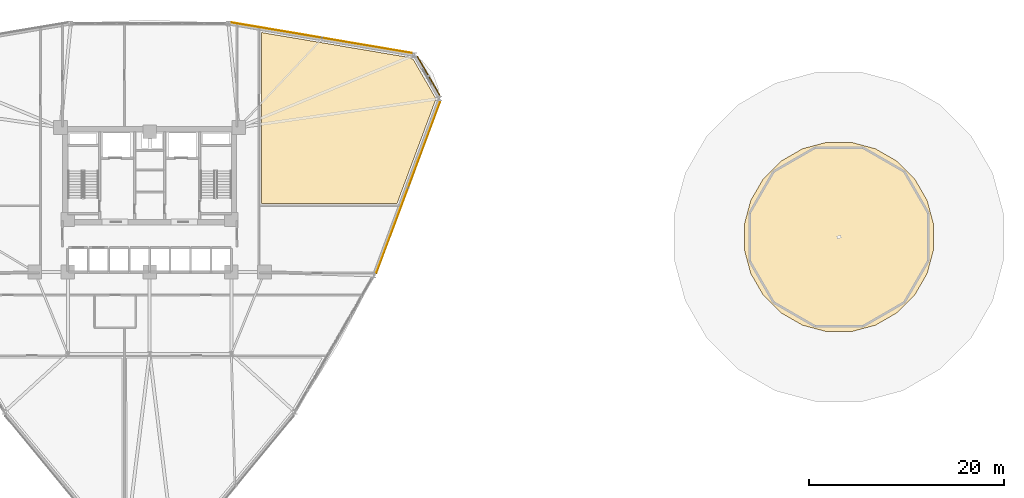
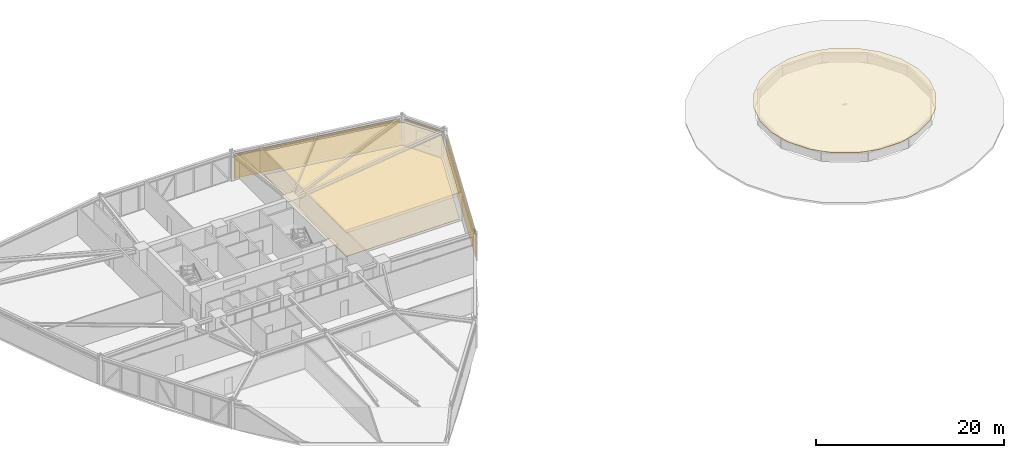
# One storey, part 23 of 23: 5 coverings, 3 shading devices, 1 element without a shape of its own.
"""IFC4 building model written with IfcOpenShell, lengths in metres."""

from ifc_helpers import new_model, si_unit, derived_unit, direction, frame, origin, origin_2d, place, context, subcontext, project, spatial, polyline, hollow_rectangle, outline, extrude, source, transform, mapped, material, layer, layer_set, material_profile, profile_set, type_object, element, aggregate, save


model = new_model("IFC4")

# Units and contexts
model_context = context("Model", 3, precision=1e-05, world=origin(), true_north=direction((0.0, 1.0)))
body_context = subcontext(model_context, "Body", "Model", "MODEL_VIEW")
ifc_project = project(units=[si_unit("LENGTHUNIT", "METRE"), si_unit("AREAUNIT", "SQUARE_METRE"), si_unit("VOLUMEUNIT", "CUBIC_METRE"), si_unit("PLANEANGLEUNIT", "RADIAN"), si_unit("MASSUNIT", "GRAM", prefix="KILO"), derived_unit("THERMALTRANSMITTANCEUNIT", [(si_unit("POWERUNIT", "WATT"), 1), (si_unit("LENGTHUNIT", "METRE"), -2), (si_unit("THERMODYNAMICTEMPERATUREUNIT", "KELVIN"), -1)])], contexts=[model_context])

# Site, building, storey
site_placement = place(None, origin())
site = spatial("IfcSite", under=ifc_project, at=site_placement, CompositionType="ELEMENT")
building_placement = place(site_placement, origin())
building = spatial("IfcBuilding", under=site, at=building_placement, Name="Korsvarv Bourse and Concert Hall", CompositionType="ELEMENT")
storey_placement = place(building_placement, frame((0.0, 0.0, 24.0)))
storey = spatial("IfcBuildingStorey", under=building, at=storey_placement, Name="L05", CompositionType="ELEMENT", Elevation=24.0)

# Coverings
ifc_material_1 = material(Name="Perforated mineral-wool and birch acoustic baffle ceiling", Category="wood")
ifc_layer_1 = layer(ifc_material_1, 0.02490234375)
ifc_layer_set_1 = layer_set([ifc_layer_1], Name="Perforated mineral-wool and birch acoustic baffle ceiling")
covering_type_1 = type_object("IfcCoveringType", Name="COV-CEIL-1", PredefinedType="CEILING", material=ifc_layer_set_1)
covering_1_placement = place(storey_placement, frame((0.0, 0.0, 3.06005859375)))
element("IfcCovering", 1, at=covering_1_placement, inside=storey, type_object=covering_type_1, Name="L05 acoustic baffle ceiling 1", PredefinedType="CEILING", context=body_context, shape_type="SweptSolid", body=[
    extrude(outline(polyline([(47.47998046875, 57.0009765625), (62.8095703125, 54.411376953125), (62.819091796875, 54.38134765625), (62.8369140625, 54.349609375), (62.8603515625, 54.322021484375), (62.888916015625, 54.2998046875), (62.92138671875, 54.283447265625), (62.95654296875, 54.2744140625), (63.057373046875, 54.267822265625), (65.38671875, 50.2333984375), (65.38671875, 50.11181640625), (61.4189453125, 39.449951171875), (47.47998046875, 39.449951171875), (47.47998046875, 57.0009765625)])), origin(), (0.0, 0.0, 1.0), 0.02490234375),
])
ifc_material_2 = material(Name="Warm iron-oxide extruded terracotta rainscreen tile", Category="ceramic")
ifc_layer_2 = layer(ifc_material_2, 0.044921875)
ifc_layer_set_2 = layer_set([ifc_layer_2], Name="Warm iron-oxide extruded terracotta rainscreen tile")
covering_type_2 = type_object("IfcCoveringType", Name="COV-CLD-TC", PredefinedType="CLADDING", material=ifc_layer_set_2)
covering_2_placement = place(storey_placement, origin())
element("IfcCovering", 2, at=covering_2_placement, inside=storey, type_object=covering_type_2, Name="L05 fluted terracotta cladding panel EW-L05-B02", PredefinedType="CLADDING", context=body_context, shape_type="SweptSolid", body=[
    extrude(outline(polyline([(62.933349609375, 54.872314453125), (44.416015625, 58.000244140625), (44.42333984375, 58.044677734375), (62.94091796875, 54.91650390625), (62.933349609375, 54.872314453125)])), origin(), (0.0, 0.0, 1.0), 2.909912109375),
])
covering_3_placement = place(storey_placement, origin())
element("IfcCovering", 3, at=covering_3_placement, inside=storey, type_object=covering_type_2, Name="L05 fluted terracotta cladding panel EW-L05-B12", PredefinedType="CLADDING", context=body_context, shape_type="SweptSolid", body=[
    extrude(outline(polyline([(59.27392578125, 32.323974609375), (65.797119140625, 49.85302734375), (65.83935546875, 49.83740234375), (59.316162109375, 32.308349609375), (59.27392578125, 32.323974609375)])), origin(), (0.0, 0.0, 1.0), 2.909912109375),
])
ifc_material_3 = material(Name="Calcium-sulphate raised access trading floor with Nordic oak top", Category="wood")
ifc_layer_3 = layer(ifc_material_3, 0.0400390625)
ifc_layer_set_3 = layer_set([ifc_layer_3], Name="Calcium-sulphate raised access trading floor with Nordic oak top")
covering_type_3 = type_object("IfcCoveringType", Name="COV-FLOR-1", PredefinedType="FLOORING", material=ifc_layer_set_3)
covering_4_placement = place(storey_placement, origin())
element("IfcCovering", 4, at=covering_4_placement, inside=storey, type_object=covering_type_3, Name="L05 raised access oak floor finish 1", PredefinedType="FLOORING", context=body_context, shape_type="SweptSolid", body=[
    extrude(outline(polyline([(47.47998046875, 57.0009765625), (62.8095703125, 54.411376953125), (62.819091796875, 54.38134765625), (62.8369140625, 54.349609375), (62.8603515625, 54.322021484375), (62.888916015625, 54.2998046875), (62.92138671875, 54.283447265625), (62.95654296875, 54.2744140625), (63.057373046875, 54.267822265625), (65.38671875, 50.2333984375), (65.38671875, 50.11181640625), (61.4189453125, 39.449951171875), (47.47998046875, 39.449951171875), (47.47998046875, 57.0009765625)])), origin(), (0.0, 0.0, 1.0), 0.0400390625),
])

# Roof, covering
ifc_material_4 = material(Name="Reinforced concrete C45/55 flat roof assembly", Category="concrete")
ifc_layer_4 = layer(ifc_material_4, 0.320068359375)
ifc_layer_set_4 = layer_set([ifc_layer_4], Name="Reinforced concrete C45/55 flat roof assembly")
roof_type = type_object("IfcRoofType", Name="ROOF-FLAT-1", PredefinedType="FLAT_ROOF", material=ifc_layer_set_4)
roof_placement = place(storey_placement, origin())
roof = element("IfcRoof", 5, at=roof_placement, inside=storey, type_object=roof_type, Name="Concert Hall Acoustic Roof Assembly", PredefinedType="FLAT_ROOF")
ifc_material_5 = material(Name="Modified bitumen two-ply waterproofing and tapered PIR insulation", Category="bitumen")
ifc_layer_5 = layer(ifc_material_5, 0.06005859375)
ifc_layer_set_5 = layer_set([ifc_layer_5], Name="Modified bitumen two-ply waterproofing and tapered PIR insulation")
covering_type_4 = type_object("IfcCoveringType", Name="COV-ROOF-1", PredefinedType="ROOFING", material=ifc_layer_set_5)
covering_5_placement = place(storey_placement, frame((0.0, 0.0, 1.60009765625)))
covering_5 = element("IfcCovering", 6, at=covering_5_placement, type_object=covering_type_4, Name="Concert Hall Auditorium Roof Waterproofing Membrane", PredefinedType="ROOFING", context=body_context, shape_type="SweptSolid", body=[
    extrude(outline(polyline([(116.522216796875, 37.27978515625), (115.859619140625, 39.752685546875), (114.57958984375, 41.969482421875), (112.76953125, 43.779541015625), (110.552490234375, 45.0595703125), (108.079833984375, 45.72216796875), (105.52001953125, 45.72216796875), (103.04736328125, 45.0595703125), (100.83056640625, 43.779541015625), (99.0205078125, 41.969482421875), (97.740478515625, 39.752685546875), (97.077880859375, 37.27978515625), (97.077880859375, 34.72021484375), (97.740478515625, 32.247314453125), (99.0205078125, 30.030517578125), (100.83056640625, 28.220458984375), (103.04736328125, 26.9404296875), (105.52001953125, 26.27783203125), (108.079833984375, 26.27783203125), (110.552490234375, 26.9404296875), (112.76953125, 28.220458984375), (114.57958984375, 30.030517578125), (115.859619140625, 32.247314453125), (116.522216796875, 34.72021484375), (116.522216796875, 37.27978515625)])), origin(), (0.0, 0.0, 1.0), 0.059814453125),
])
aggregate(roof, [covering_5])

# Shading devices
ifc_material_6 = material(Name="Glazed extruded architectural terracotta", Category="ceramic")
ifc_material_profile = material_profile(ifc_material_6, hollow_rectangle(XDim=0.090087890625, YDim=0.260009765625, WallThickness=0.011962890625, at=origin_2d()), Name="TC-BAG 90x260")
ifc_profile_set = profile_set([ifc_material_profile], Name="Glazed extruded architectural terracotta")
shading_device_type = type_object("IfcShadingDeviceType", Name="SHD-BAG-1", PredefinedType="USERDEFINED", material=ifc_profile_set)
shared_shape_1 = source(origin(), body_context, "Body", "SweptSolid", [
    extrude(hollow_rectangle(XDim=0.090087890625, YDim=0.260009765625, WallThickness=0.011962890625, at=origin_2d()), origin(), (0.0, 0.0, 1.0), 4.604736328125),
])
shading_device_1_placement = place(storey_placement, frame((65.80908203125, 50.5517578125, 3.070068359375), z_axis=(-0.500022295776, 0.86601253093, 0.0), x_axis=(-0.86601253093, -0.500022295776, 0.0)))
element("IfcShadingDevice", 7, at=shading_device_1_placement, inside=storey, type_object=shading_device_type, Name="L05 terracotta baguette sunshade EW-L05-B01", ObjectType="BAGUETTE", PredefinedType="USERDEFINED", context=body_context, shape_type="MappedRepresentation", body=[
    mapped(shared_shape_1, transform((0.0, 0.0, 0.0), scale=1.0)),
])
shared_shape_2 = source(origin(), body_context, "Body", "SweptSolid", [
    extrude(hollow_rectangle(XDim=0.090087890625, YDim=0.260009765625, WallThickness=0.011962890625, at=origin_2d()), origin(), (0.0, 0.0, 1.0), 18.93994140625),
])
shading_device_2_placement = place(storey_placement, frame((63.018798828125, 54.8984375, 3.070068359375), z_axis=(-0.98603202958, 0.166555806393, 0.0), x_axis=(-0.166555806393, -0.98603202958, 0.0)))
element("IfcShadingDevice", 8, at=shading_device_2_placement, inside=storey, type_object=shading_device_type, Name="L05 terracotta baguette sunshade EW-L05-B02", ObjectType="BAGUETTE", PredefinedType="USERDEFINED", context=body_context, shape_type="MappedRepresentation", body=[
    mapped(shared_shape_2, transform((0.0, 0.0, 0.0), scale=1.0)),
])
shared_shape_3 = source(origin(), body_context, "Body", "SweptSolid", [
    extrude(hollow_rectangle(XDim=0.090087890625, YDim=0.260009765625, WallThickness=0.011962890625, at=origin_2d()), origin(), (0.0, 0.0, 1.0), 18.863525390625),
])
shading_device_3_placement = place(storey_placement, frame((59.28369140625, 32.235107421875, 3.070068359375), z_axis=(0.34875935694, 0.937212308363, 0.0), x_axis=(-0.937212308363, 0.34875935694, 0.0)))
element("IfcShadingDevice", 9, at=shading_device_3_placement, inside=storey, type_object=shading_device_type, Name="L05 terracotta baguette sunshade EW-L05-B12", ObjectType="BAGUETTE", PredefinedType="USERDEFINED", context=body_context, shape_type="MappedRepresentation", body=[
    mapped(shared_shape_3, transform((0.0, 0.0, 0.0), scale=1.0)),
])

save(model, "model.ifc")
